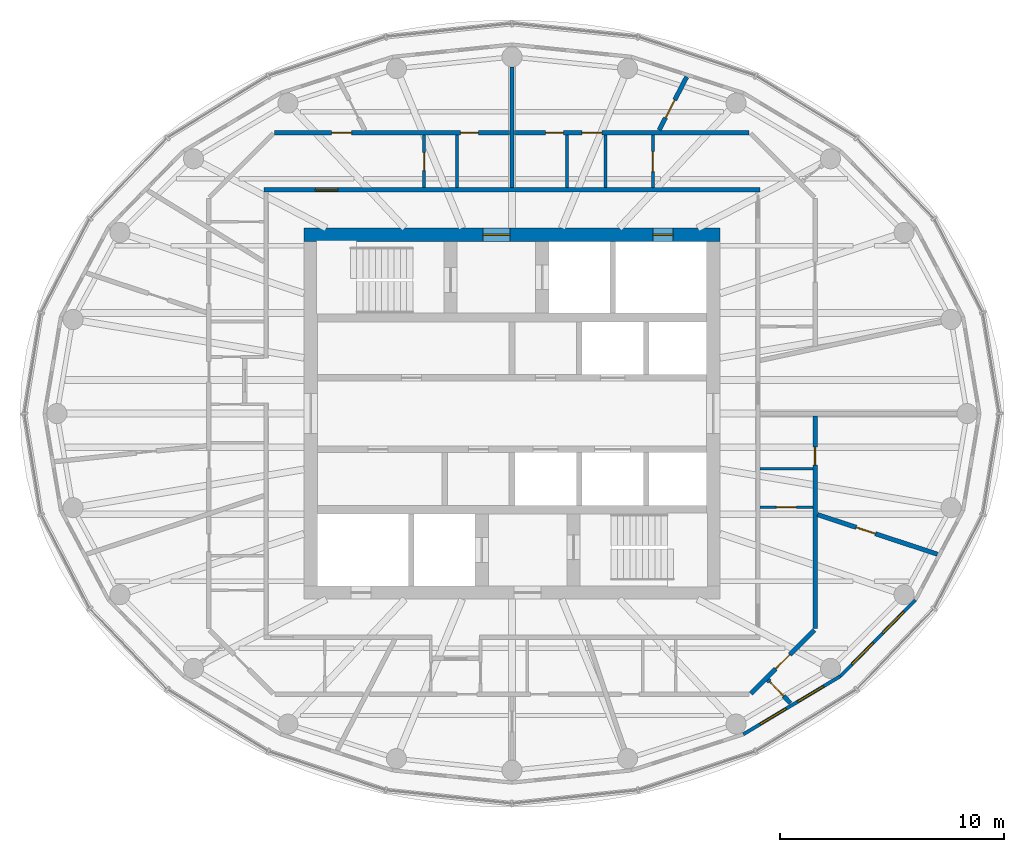
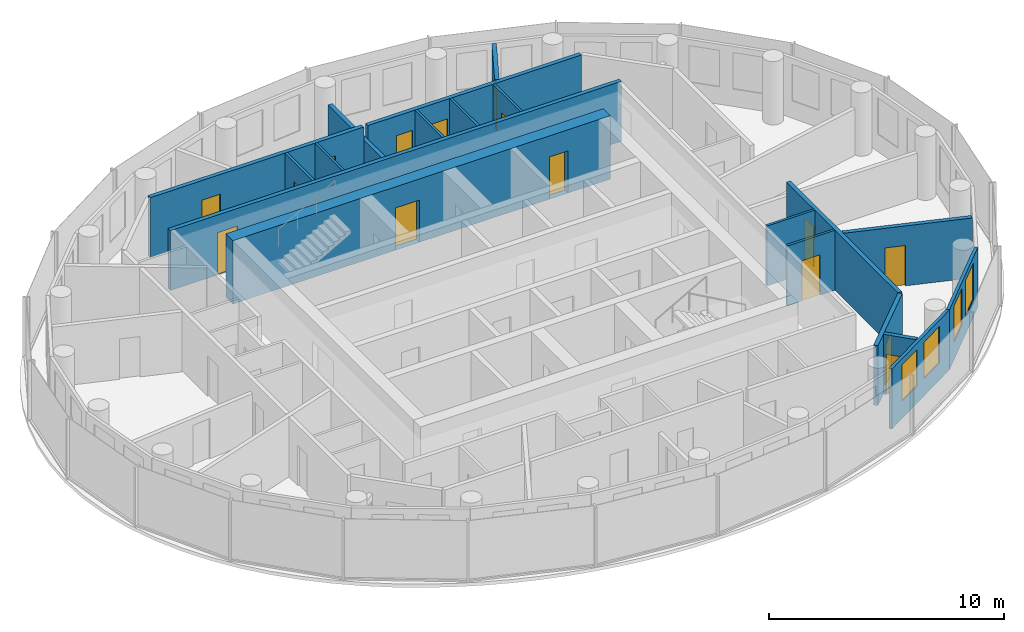
# One storey, part 8 of 11: 19 walls, 15 doors, 4 windows, 19 openings.
"""IFC4 building model written with IfcOpenShell, lengths in metres."""

from ifc_helpers import new_model, si_unit, direction, frame, frame_2d, origin, place, context, subcontext, project, spatial, rectangle, extrude, material, layer, layer_set, type_object, element, fill, save


model = new_model("IFC4")

# Units and contexts
model_context = context("Model", 3, precision=1e-05, world=origin(), true_north=direction((0.0, 1.0)))
body_context = subcontext(model_context, "Body", "Model", "MODEL_VIEW")
ifc_project = project(units=[si_unit("LENGTHUNIT", "METRE"), si_unit("AREAUNIT", "SQUARE_METRE"), si_unit("VOLUMEUNIT", "CUBIC_METRE"), si_unit("PLANEANGLEUNIT", "RADIAN"), si_unit("MASSUNIT", "GRAM", prefix="KILO")], contexts=[model_context])

# Site, building, storey
site_placement = place(None, origin())
site = spatial("IfcSite", under=ifc_project, at=site_placement, CompositionType="ELEMENT")
building_placement = place(site_placement, origin())
building = spatial("IfcBuilding", under=site, at=building_placement, Name="Hankou Lantern Tower", CompositionType="ELEMENT")
storey_placement = place(building_placement, frame((0.0, 0.0, 199.5)))
storey = spatial("IfcBuildingStorey", under=building, at=storey_placement, Name="L53", CompositionType="ELEMENT", Elevation=199.5)

# Wall, openings, doors
ifc_material_1 = material(Name="Concrete C60", Category="concrete")
ifc_layer_1 = layer(ifc_material_1, 0.60009765625)
ifc_layer_set_1 = layer_set([ifc_layer_1], Name="Concrete C60")
wall_type_1 = type_object("IfcWallType", Name="CW3 CORE WALL 600", PredefinedType="SHEAR", material=ifc_layer_set_1)
wall_1_placement = place(storey_placement, frame((-9.300048828125, 8.0, 0.0), z_axis=(0.0, 0.0, 1.0), x_axis=(1.0, 0.0, 0.0)))
wall_1 = element("IfcWall", 1, at=wall_1_placement, inside=storey, type_object=wall_type_1, Name="Core wall north L53", PredefinedType="SHEAR", context=body_context, shape_type="SweptSolid", body=[
    extrude(rectangle(XDim=18.60009765625, YDim=0.60009765625, at=frame_2d((9.300048828125, 0.0))), origin(), (0.0, 0.0, 1.0), 3.300048828125),
])
opening_1_placement = place(wall_1_placement, frame((8.0, 0.0, 0.0)))
opening_1 = element("IfcOpeningElement", 2, at=opening_1_placement, cuts=wall_1, Name="Opening D5", PredefinedType="OPENING", context=body_context, shape_type="SweptSolid", body=[
    extrude(rectangle(XDim=1.199951171875, YDim=2.199951171875, at=frame_2d((0.60009765625, 1.10009765625))), frame((0.0, 0.31005859375, 0.0), z_axis=(0.0, -1.0, 0.0), x_axis=(1.0, 0.0, 0.0)), (0.0, 0.0, 1.0), 0.6201171875),
])
opening_2_placement = place(wall_1_placement, frame((15.60009765625, 0.0, 0.0)))
opening_2 = element("IfcOpeningElement", 3, at=opening_2_placement, cuts=wall_1, Name="Opening D7", PredefinedType="OPENING", context=body_context, shape_type="SweptSolid", body=[
    extrude(rectangle(XDim=0.89990234375, YDim=2.199951171875, at=frame_2d((0.449951171875, 1.10009765625))), frame((0.0, 0.31005859375, 0.0), z_axis=(0.0, -1.0, 0.0), x_axis=(1.0, 0.0, 0.0)), (0.0, 0.0, 1.0), 0.6201171875),
])
ifc_material_2 = material(Name="Steel door leaf", Category="steel")
door_type_1 = type_object("IfcDoorType", Name="D5 STAIR LOBBY DOOR 1200X2200", OperationType="SINGLE_SWING_LEFT", PredefinedType="DOOR", material=ifc_material_2)
door_1_placement = place(opening_1_placement, origin())
door_1 = element("IfcDoor", 4, at=door_1_placement, inside=storey, type_object=door_type_1, Name="Stair A lobby door", OperationType="SINGLE_SWING_LEFT", OverallHeight=2.199951171875, OverallWidth=1.199951171875, PredefinedType="DOOR", context=body_context, shape_type="SweptSolid", body=[
    extrude(rectangle(XDim=1.199951171875, YDim=2.199951171875, at=frame_2d((0.60009765625, 1.10009765625))), frame((0.0, 0.02490234375, 0.0), z_axis=(0.0, -1.0, 0.0), x_axis=(1.0, 0.0, 0.0)), (0.0, 0.0, 1.0), 0.050048828125),
])
fill(opening_1, door_1)
ifc_material_3 = material(Name="Steel door leaf", Category="steel")
door_type_2 = type_object("IfcDoorType", Name="D7 RISER DOOR 900X2200", OperationType="SINGLE_SWING_LEFT", PredefinedType="DOOR", material=ifc_material_3)
door_2_placement = place(opening_2_placement, origin())
door_2 = element("IfcDoor", 5, at=door_2_placement, inside=storey, type_object=door_type_2, Name="Riser N1 door", OperationType="SINGLE_SWING_RIGHT", OverallHeight=2.199951171875, OverallWidth=0.89990234375, PredefinedType="DOOR", context=body_context, shape_type="SweptSolid", body=[
    extrude(rectangle(XDim=0.89990234375, YDim=2.199951171875, at=frame_2d((0.449951171875, 1.10009765625))), frame((0.0, 0.02490234375, 0.0), z_axis=(0.0, -1.0, 0.0), x_axis=(1.0, 0.0, 0.0)), (0.0, 0.0, 1.0), 0.050048828125),
])
fill(opening_2, door_2)

# Wall, openings, windows
ifc_material_4 = material(Name="Aluminium spandrel panel on steel studs", Category="steel")
ifc_layer_2 = layer(ifc_material_4, 0.14990234375)
ifc_layer_set_2 = layer_set([ifc_layer_2], Name="Aluminium spandrel panel on steel studs")
wall_type_2 = type_object("IfcWallType", Name="EW1 INNER SKIN WALL 150", PredefinedType="ELEMENTEDWALL", material=ifc_layer_set_2)
wall_2_placement = place(storey_placement, frame((10.346435546875, -14.33642578125, 0.0), z_axis=(0.0, 0.0, 1.0), x_axis=(0.85822150553, 0.513279502265, 0.0)))
wall_2 = element("IfcWall", 6, at=wall_2_placement, inside=storey, type_object=wall_type_2, Name="Inner skin R21-R22 L53", PredefinedType="ELEMENTEDWALL", context=body_context, shape_type="SweptSolid", body=[
    extrude(rectangle(XDim=5.050048828125, YDim=0.14990234375, at=frame_2d((2.52490234375, 0.0))), origin(), (0.0, 0.0, 1.0), 3.1201171875),
])
opening_3_placement = place(wall_2_placement, frame((0.875, 0.0, 0.89990234375)))
opening_3 = element("IfcOpeningElement", 7, at=opening_3_placement, cuts=wall_2, Name="Opening W4", PredefinedType="OPENING", context=body_context, shape_type="SweptSolid", body=[
    extrude(rectangle(XDim=1.35009765625, YDim=1.89990234375, at=frame_2d((0.675048828125, 0.949951171875))), frame((0.0, 0.0849609375, 0.0), z_axis=(0.0, -1.0, 0.0), x_axis=(1.0, 0.0, 0.0)), (0.0, 0.0, 1.0), 0.169921875),
])
opening_4_placement = place(wall_2_placement, frame((2.824951171875, 0.0, 0.89990234375)))
opening_4 = element("IfcOpeningElement", 8, at=opening_4_placement, cuts=wall_2, Name="Opening W4", PredefinedType="OPENING", context=body_context, shape_type="SweptSolid", body=[
    extrude(rectangle(XDim=1.35009765625, YDim=1.89990234375, at=frame_2d((0.675048828125, 0.949951171875))), frame((0.0, 0.0849609375, 0.0), z_axis=(0.0, -1.0, 0.0), x_axis=(1.0, 0.0, 0.0)), (0.0, 0.0, 1.0), 0.169921875),
])
ifc_material_5 = material(Name="Aluminium framed double glazed window", Category="aluminium")
window_type = type_object("IfcWindowType", Name="W4 SUITE WINDOW 1350X1900", PartitioningType="DOUBLE_PANEL_VERTICAL", PredefinedType="WINDOW", material=ifc_material_5)
window_1_placement = place(opening_3_placement, origin())
window_1 = element("IfcWindow", 9, at=window_1_placement, inside=storey, type_object=window_type, Name="Window R21.1 L53", OverallHeight=1.89990234375, OverallWidth=1.35009765625, PartitioningType="SINGLE_PANEL", PredefinedType="WINDOW", context=body_context, shape_type="SweptSolid", body=[
    extrude(rectangle(XDim=1.35009765625, YDim=1.89990234375, at=frame_2d((0.675048828125, 0.949951171875))), frame((0.0, 0.030029296875, 0.0), z_axis=(0.0, -1.0, 0.0), x_axis=(1.0, 0.0, 0.0)), (0.0, 0.0, 1.0), 0.06005859375),
])
fill(opening_3, window_1)
window_2_placement = place(opening_4_placement, origin())
window_2 = element("IfcWindow", 10, at=window_2_placement, inside=storey, type_object=window_type, Name="Window R21.2 L53", OverallHeight=1.89990234375, OverallWidth=1.35009765625, PartitioningType="SINGLE_PANEL", PredefinedType="WINDOW", context=body_context, shape_type="SweptSolid", body=[
    extrude(rectangle(XDim=1.35009765625, YDim=1.89990234375, at=frame_2d((0.675048828125, 0.949951171875))), frame((0.0, 0.030029296875, 0.0), z_axis=(0.0, -1.0, 0.0), x_axis=(1.0, 0.0, 0.0)), (0.0, 0.0, 1.0), 0.06005859375),
])
fill(opening_4, window_2)

wall_3_placement = place(storey_placement, frame((14.680419921875, -11.744384765625, 0.0), z_axis=(0.0, 0.0, 1.0), x_axis=(0.701527379618, 0.712642501993, 0.0)))
wall_3 = element("IfcWall", 11, at=wall_3_placement, inside=storey, type_object=wall_type_2, Name="Inner skin R22-R23 L53", PredefinedType="ELEMENTEDWALL", context=body_context, shape_type="SweptSolid", body=[
    extrude(rectangle(XDim=4.788330078125, YDim=0.14990234375, at=frame_2d((2.39404296875, 0.0))), origin(), (0.0, 0.0, 1.0), 3.1201171875),
])
opening_5_placement = place(wall_3_placement, frame((0.744140625, 0.0, 0.89990234375)))
opening_5 = element("IfcOpeningElement", 12, at=opening_5_placement, cuts=wall_3, Name="Opening W4", PredefinedType="OPENING", context=body_context, shape_type="SweptSolid", body=[
    extrude(rectangle(XDim=1.35009765625, YDim=1.89990234375, at=frame_2d((0.675048828125, 0.949951171875))), frame((0.0, 0.0849609375, 0.0), z_axis=(0.0, -1.0, 0.0), x_axis=(1.0, 0.0, 0.0)), (0.0, 0.0, 1.0), 0.169921875),
])
opening_6_placement = place(wall_3_placement, frame((2.694091796875, 0.0, 0.89990234375)))
opening_6 = element("IfcOpeningElement", 13, at=opening_6_placement, cuts=wall_3, Name="Opening W4", PredefinedType="OPENING", context=body_context, shape_type="SweptSolid", body=[
    extrude(rectangle(XDim=1.35009765625, YDim=1.89990234375, at=frame_2d((0.675048828125, 0.949951171875))), frame((0.0, 0.0849609375, 0.0), z_axis=(0.0, -1.0, 0.0), x_axis=(1.0, 0.0, 0.0)), (0.0, 0.0, 1.0), 0.169921875),
])
window_3_placement = place(opening_5_placement, origin())
window_3 = element("IfcWindow", 14, at=window_3_placement, inside=storey, type_object=window_type, Name="Window R22.1 L53", OverallHeight=1.89990234375, OverallWidth=1.35009765625, PartitioningType="SINGLE_PANEL", PredefinedType="WINDOW", context=body_context, shape_type="SweptSolid", body=[
    extrude(rectangle(XDim=1.35009765625, YDim=1.89990234375, at=frame_2d((0.675048828125, 0.949951171875))), frame((0.0, 0.030029296875, 0.0), z_axis=(0.0, -1.0, 0.0), x_axis=(1.0, 0.0, 0.0)), (0.0, 0.0, 1.0), 0.06005859375),
])
fill(opening_5, window_3)
window_4_placement = place(opening_6_placement, origin())
window_4 = element("IfcWindow", 15, at=window_4_placement, inside=storey, type_object=window_type, Name="Window R22.2 L53", OverallHeight=1.89990234375, OverallWidth=1.35009765625, PartitioningType="SINGLE_PANEL", PredefinedType="WINDOW", context=body_context, shape_type="SweptSolid", body=[
    extrude(rectangle(XDim=1.35009765625, YDim=1.89990234375, at=frame_2d((0.675048828125, 0.949951171875))), frame((0.0, 0.030029296875, 0.0), z_axis=(0.0, -1.0, 0.0), x_axis=(1.0, 0.0, 0.0)), (0.0, 0.0, 1.0), 0.06005859375),
])
fill(opening_6, window_4)

# Wall
ifc_material_6 = material(Name="Masonry lightweight concrete block", Category="masonry")
ifc_layer_3 = layer(ifc_material_6, 0.199951171875)
ifc_layer_set_3 = layer_set([ifc_layer_3], Name="Masonry lightweight concrete block")
wall_type_3 = type_object("IfcWallType", Name="IW1 GUEST ROOM PARTY WALL 200", PredefinedType="PARTITIONING", material=ifc_layer_set_3)
wall_4_placement = place(storey_placement, frame((0.0, 10.10009765625, 0.0), z_axis=(0.0, 0.0, 1.0), x_axis=(0.0, 1.0, 0.0)))
element("IfcWall", 16, at=wall_4_placement, inside=storey, type_object=wall_type_3, Name="Party wall R07", PredefinedType="PARTITIONING", context=body_context, shape_type="SweptSolid", body=[
    extrude(rectangle(XDim=5.39990234375, YDim=0.199951171875, at=frame_2d((2.699951171875, 0.0))), origin(), (0.0, 0.0, 1.0), 2.419921875),
])

# Wall, opening, door
ifc_material_7 = material(Name="Masonry lightweight concrete block", Category="masonry")
ifc_layer_4 = layer(ifc_material_7, 0.199951171875)
ifc_layer_set_4 = layer_set([ifc_layer_4], Name="Masonry lightweight concrete block")
wall_type_4 = type_object("IfcWallType", Name="IW2 CORRIDOR WALL 200", PredefinedType="PARTITIONING", material=ifc_layer_set_4)
wall_5_placement = place(storey_placement, frame((-11.10009765625, 10.0, 0.0), z_axis=(0.0, 0.0, 1.0), x_axis=(1.0, 0.0, 0.0)))
wall_5 = element("IfcWall", 17, at=wall_5_placement, inside=storey, type_object=wall_type_4, Name="Corridor wall north", PredefinedType="PARTITIONING", context=body_context, shape_type="SweptSolid", body=[
    extrude(rectangle(XDim=22.2001953125, YDim=0.199951171875, at=frame_2d((11.10009765625, 0.0))), origin(), (0.0, 0.0, 1.0), 3.1201171875),
])
opening_7_placement = place(wall_5_placement, frame((2.30908203125, 0.0, 0.0)))
opening_7 = element("IfcOpeningElement", 18, at=opening_7_placement, cuts=wall_5, Name="Opening D2", PredefinedType="OPENING", context=body_context, shape_type="SweptSolid", body=[
    extrude(rectangle(XDim=1.0, YDim=2.199951171875, at=frame_2d((0.5, 1.10009765625))), frame((0.0, 0.10986328125, 0.0), z_axis=(0.0, -1.0, 0.0), x_axis=(1.0, 0.0, 0.0)), (0.0, 0.0, 1.0), 0.219970703125),
])
ifc_material_8 = material(Name="Steel door leaf", Category="steel")
door_type_3 = type_object("IfcDoorType", Name="D2 SUITE DOOR 1000X2200", OperationType="SINGLE_SWING_LEFT", PredefinedType="DOOR", material=ifc_material_8)
door_3_placement = place(opening_7_placement, origin())
door_3 = element("IfcDoor", 19, at=door_3_placement, inside=storey, type_object=door_type_3, Name="Suite door 5303", OperationType="SINGLE_SWING_RIGHT", OverallHeight=2.199951171875, OverallWidth=1.0, PredefinedType="DOOR", context=body_context, shape_type="SweptSolid", body=[
    extrude(rectangle(XDim=1.0, YDim=2.199951171875, at=frame_2d((0.5, 1.10009765625))), frame((0.0, 0.02490234375, 0.0), z_axis=(0.0, -1.0, 0.0), x_axis=(1.0, 0.0, 0.0)), (0.0, 0.0, 1.0), 0.050048828125),
])
fill(opening_7, door_3)

ifc_material_9 = material(Name="Masonry lightweight concrete block", Category="masonry")
ifc_layer_5 = layer(ifc_material_9, 0.1201171875)
ifc_layer_set_5 = layer_set([ifc_layer_5], Name="Masonry lightweight concrete block")
wall_type_5 = type_object("IfcWallType", Name="IW3 BATHROOM WALL 120", PredefinedType="PARTITIONING", material=ifc_layer_set_5)
wall_6_placement = place(storey_placement, frame((6.301025390625, 10.10009765625, 0.0), z_axis=(0.0, 0.0, 1.0), x_axis=(0.0, 1.0, 0.0)))
wall_6 = element("IfcWall", 20, at=wall_6_placement, inside=storey, type_object=wall_type_5, Name="Box wall 5302 2", PredefinedType="PARTITIONING", context=body_context, shape_type="SweptSolid", body=[
    extrude(rectangle(XDim=2.349853515625, YDim=0.1201171875, at=frame_2d((1.1748046875, 0.0))), origin(), (0.0, 0.0, 1.0), 3.1201171875),
])
opening_8_placement = place(wall_6_placement, frame((0.719970703125, 0.0, 0.0)))
opening_8 = element("IfcOpeningElement", 21, at=opening_8_placement, cuts=wall_6, Name="Opening D27", PredefinedType="OPENING", context=body_context, shape_type="SweptSolid", body=[
    extrude(rectangle(XDim=0.89990234375, YDim=2.10009765625, at=frame_2d((0.449951171875, 1.050048828125))), frame((0.0, 0.070068359375, 0.0), z_axis=(0.0, -1.0, 0.0), x_axis=(1.0, 0.0, 0.0)), (0.0, 0.0, 1.0), 0.14013671875),
])
ifc_material_10 = material(Name="Timber door leaf", Category="wood")
door_type_4 = type_object("IfcDoorType", Name="D27 INTERNAL DOOR 900X2100", OperationType="SINGLE_SWING_LEFT", PredefinedType="DOOR", material=ifc_material_10)
door_4_placement = place(opening_8_placement, origin())
door_4 = element("IfcDoor", 22, at=door_4_placement, inside=storey, type_object=door_type_4, Name="Corner suite 5302 pantry door", OperationType="SINGLE_SWING_LEFT", OverallHeight=2.10009765625, OverallWidth=0.89990234375, PredefinedType="DOOR", context=body_context, shape_type="SweptSolid", body=[
    extrude(rectangle(XDim=0.89990234375, YDim=2.10009765625, at=frame_2d((0.449951171875, 1.050048828125))), frame((0.0, 0.02490234375, 0.0), z_axis=(0.0, -1.0, 0.0), x_axis=(1.0, 0.0, 0.0)), (0.0, 0.0, 1.0), 0.050048828125),
])
fill(opening_8, door_4)

# Walls
for number, where, z_axis, x_axis, name in (
    (23, (4.180908203125, 10.10009765625, 0.0), (0.0, 0.0, 1.0), (0.0, 1.0, 0.0), "Box wall 5302 3"),
    (24, (2.4609375, 10.10009765625, 0.0), (0.0, 0.0, 1.0), (0.0, 1.0, 0.0), "Box wall 5302 4"),
    (25, (-2.4609375, 10.10009765625, 0.0), (0.0, 0.0, 1.0), (0.0, 1.0, 0.0), "Box wall 5303 1"),
):
    element("IfcWall", number, at=place(storey_placement, frame(where, z_axis=z_axis, x_axis=x_axis)), inside=storey, type_object=wall_type_5, Name=name, PredefinedType="PARTITIONING", context=body_context, shape_type="SweptSolid", body=[
        extrude(rectangle(XDim=2.349853515625, YDim=0.1201171875, at=frame_2d((1.1748046875, 0.0))), origin(), (0.0, 0.0, 1.0), 3.1201171875),
    ])

# Wall, opening, door
wall_7_placement = place(storey_placement, frame((-3.930908203125, 10.10009765625, 0.0), z_axis=(0.0, 0.0, 1.0), x_axis=(0.0, 1.0, 0.0)))
wall_7 = element("IfcWall", 26, at=wall_7_placement, inside=storey, type_object=wall_type_5, Name="Box wall 5303 2", PredefinedType="PARTITIONING", context=body_context, shape_type="SweptSolid", body=[
    extrude(rectangle(XDim=2.349853515625, YDim=0.1201171875, at=frame_2d((1.1748046875, 0.0))), origin(), (0.0, 0.0, 1.0), 3.1201171875),
])
opening_9_placement = place(wall_7_placement, frame((0.77001953125, 0.0, 0.0)))
opening_9 = element("IfcOpeningElement", 27, at=opening_9_placement, cuts=wall_7, Name="Opening D3", PredefinedType="OPENING", context=body_context, shape_type="SweptSolid", body=[
    extrude(rectangle(XDim=0.800048828125, YDim=2.10009765625, at=frame_2d((0.39990234375, 1.050048828125))), frame((0.0, 0.070068359375, 0.0), z_axis=(0.0, -1.0, 0.0), x_axis=(1.0, 0.0, 0.0)), (0.0, 0.0, 1.0), 0.14013671875),
])
ifc_material_11 = material(Name="Timber door leaf", Category="wood")
door_type_5 = type_object("IfcDoorType", Name="D3 BATHROOM DOOR 800X2100", OperationType="SINGLE_SWING_LEFT", PredefinedType="DOOR", material=ifc_material_11)
door_5_placement = place(opening_9_placement, origin())
door_5 = element("IfcDoor", 28, at=door_5_placement, inside=storey, type_object=door_type_5, Name="Suite 5303 guest WC door", OperationType="SINGLE_SWING_LEFT", OverallHeight=2.10009765625, OverallWidth=0.800048828125, PredefinedType="DOOR", context=body_context, shape_type="SweptSolid", body=[
    extrude(rectangle(XDim=0.800048828125, YDim=2.10009765625, at=frame_2d((0.39990234375, 1.050048828125))), frame((0.0, 0.02490234375, 0.0), z_axis=(0.0, -1.0, 0.0), x_axis=(1.0, 0.0, 0.0)), (0.0, 0.0, 1.0), 0.050048828125),
])
fill(opening_9, door_5)

wall_8_placement = place(storey_placement, frame((11.10009765625, -4.180908203125, 0.0), z_axis=(0.0, 0.0, 1.0), x_axis=(1.0, 0.0, 0.0)))
wall_8 = element("IfcWall", 29, at=wall_8_placement, inside=storey, type_object=wall_type_5, Name="Box wall 5307 3", PredefinedType="PARTITIONING", context=body_context, shape_type="SweptSolid", body=[
    extrude(rectangle(XDim=2.349853515625, YDim=0.1201171875, at=frame_2d((1.1748046875, 0.0))), origin(), (0.0, 0.0, 1.0), 3.1201171875),
])
opening_10_placement = place(wall_8_placement, frame((0.719970703125, 0.0, 0.0)))
opening_10 = element("IfcOpeningElement", 30, at=opening_10_placement, cuts=wall_8, Name="Opening D27", PredefinedType="OPENING", context=body_context, shape_type="SweptSolid", body=[
    extrude(rectangle(XDim=0.89990234375, YDim=2.10009765625, at=frame_2d((0.449951171875, 1.050048828125))), frame((0.0, 0.070068359375, 0.0), z_axis=(0.0, -1.0, 0.0), x_axis=(1.0, 0.0, 0.0)), (0.0, 0.0, 1.0), 0.14013671875),
])
door_6_placement = place(opening_10_placement, origin())
door_6 = element("IfcDoor", 31, at=door_6_placement, inside=storey, type_object=door_type_4, Name="Family suite 5307 walk-in wardrobe door", OperationType="SINGLE_SWING_LEFT", OverallHeight=2.10009765625, OverallWidth=0.89990234375, PredefinedType="DOOR", context=body_context, shape_type="SweptSolid", body=[
    extrude(rectangle(XDim=0.89990234375, YDim=2.10009765625, at=frame_2d((0.449951171875, 1.050048828125))), frame((0.0, 0.02490234375, 0.0), z_axis=(0.0, -1.0, 0.0), x_axis=(1.0, 0.0, 0.0)), (0.0, 0.0, 1.0), 0.050048828125),
])
fill(opening_10, door_6)

# Wall
wall_9_placement = place(storey_placement, frame((11.10009765625, -2.4609375, 0.0), z_axis=(0.0, 0.0, 1.0), x_axis=(1.0, 0.0, 0.0)))
element("IfcWall", 32, at=wall_9_placement, inside=storey, type_object=wall_type_5, Name="Box wall 5307 4", PredefinedType="PARTITIONING", context=body_context, shape_type="SweptSolid", body=[
    extrude(rectangle(XDim=2.349853515625, YDim=0.1201171875, at=frame_2d((1.1748046875, 0.0))), origin(), (0.0, 0.0, 1.0), 3.1201171875),
])

# Wall, openings, doors
ifc_material_12 = material(Name="Masonry lightweight concrete block", Category="masonry")
ifc_layer_6 = layer(ifc_material_12, 0.199951171875)
ifc_layer_set_6 = layer_set([ifc_layer_6], Name="Masonry lightweight concrete block")
wall_type_6 = type_object("IfcWallType", Name="IW6 SUITE PARTITION 200", PredefinedType="PARTITIONING", material=ifc_layer_set_6)
wall_10_placement = place(storey_placement, frame((10.608642578125, 12.550048828125, 0.0), z_axis=(0.0, 0.0, 1.0), x_axis=(-1.0, 0.0, 0.0)))
wall_10 = element("IfcWall", 33, at=wall_10_placement, inside=storey, type_object=wall_type_6, Name="Suite foyer wall 5302", PredefinedType="PARTITIONING", context=body_context, shape_type="SweptSolid", body=[
    extrude(rectangle(XDim=10.507568359375, YDim=0.199951171875, at=frame_2d((5.25390625, 0.0))), origin(), (0.0, 0.0, 1.0), 3.1201171875),
])
opening_11_placement = place(wall_10_placement, frame((6.587646484375, 0.0, 0.0)))
opening_11 = element("IfcOpeningElement", 34, at=opening_11_placement, cuts=wall_10, Name="Opening D27", PredefinedType="OPENING", context=body_context, shape_type="SweptSolid", body=[
    extrude(rectangle(XDim=0.89990234375, YDim=2.10009765625, at=frame_2d((0.449951171875, 1.050048828125))), frame((0.0, 0.10986328125, 0.0), z_axis=(0.0, -1.0, 0.0), x_axis=(1.0, 0.0, 0.0)), (0.0, 0.0, 1.0), 0.219970703125),
])
opening_12_placement = place(wall_10_placement, frame((8.3076171875, 0.0, 0.0)))
opening_12 = element("IfcOpeningElement", 35, at=opening_12_placement, cuts=wall_10, Name="Opening D3", PredefinedType="OPENING", context=body_context, shape_type="SweptSolid", body=[
    extrude(rectangle(XDim=0.800048828125, YDim=2.10009765625, at=frame_2d((0.39990234375, 1.050048828125))), frame((0.0, 0.10986328125, 0.0), z_axis=(0.0, -1.0, 0.0), x_axis=(1.0, 0.0, 0.0)), (0.0, 0.0, 1.0), 0.219970703125),
])
door_7_placement = place(opening_11_placement, origin())
door_7 = element("IfcDoor", 36, at=door_7_placement, inside=storey, type_object=door_type_4, Name="Corner suite 5302 walk-in wardrobe door", OperationType="SINGLE_SWING_LEFT", OverallHeight=2.10009765625, OverallWidth=0.89990234375, PredefinedType="DOOR", context=body_context, shape_type="SweptSolid", body=[
    extrude(rectangle(XDim=0.89990234375, YDim=2.10009765625, at=frame_2d((0.449951171875, 1.050048828125))), frame((0.0, 0.02490234375, 0.0), z_axis=(0.0, -1.0, 0.0), x_axis=(1.0, 0.0, 0.0)), (0.0, 0.0, 1.0), 0.050048828125),
])
fill(opening_11, door_7)
door_8_placement = place(opening_12_placement, origin())
door_8 = element("IfcDoor", 37, at=door_8_placement, inside=storey, type_object=door_type_5, Name="Corner suite 5302 bathroom door", OperationType="SINGLE_SWING_LEFT", OverallHeight=2.10009765625, OverallWidth=0.800048828125, PredefinedType="DOOR", context=body_context, shape_type="SweptSolid", body=[
    extrude(rectangle(XDim=0.800048828125, YDim=2.10009765625, at=frame_2d((0.39990234375, 1.050048828125))), frame((0.0, 0.02490234375, 0.0), z_axis=(0.0, -1.0, 0.0), x_axis=(1.0, 0.0, 0.0)), (0.0, 0.0, 1.0), 0.050048828125),
])
fill(opening_12, door_8)

# Wall, opening, door
wall_11_placement = place(storey_placement, frame((6.578125, 12.676513671875, 0.0), z_axis=(0.0, 0.0, 1.0), x_axis=(0.460620531465, 0.887597164255, 0.0)))
wall_11 = element("IfcWall", 38, at=wall_11_placement, inside=storey, type_object=wall_type_6, Name="Suite partition R05-R06", PredefinedType="PARTITIONING", context=body_context, shape_type="SweptSolid", body=[
    extrude(rectangle(XDim=2.677734375, YDim=0.199951171875, at=frame_2d((1.3388671875, 0.0))), origin(), (0.0, 0.0, 1.0), 3.1201171875),
])
opening_13_placement = place(wall_11_placement, frame((0.6201171875, 0.0, 0.0)))
opening_13 = element("IfcOpeningElement", 39, at=opening_13_placement, cuts=wall_11, Name="Opening D27", PredefinedType="OPENING", context=body_context, shape_type="SweptSolid", body=[
    extrude(rectangle(XDim=0.89990234375, YDim=2.10009765625, at=frame_2d((0.449951171875, 1.050048828125))), frame((0.0, 0.10986328125, 0.0), z_axis=(0.0, -1.0, 0.0), x_axis=(1.0, 0.0, 0.0)), (0.0, 0.0, 1.0), 0.219970703125),
])
door_9_placement = place(opening_13_placement, origin())
door_9 = element("IfcDoor", 40, at=door_9_placement, inside=storey, type_object=door_type_4, Name="Corner suite 5302 bedroom door", OperationType="SINGLE_SWING_LEFT", OverallHeight=2.10009765625, OverallWidth=0.89990234375, PredefinedType="DOOR", context=body_context, shape_type="SweptSolid", body=[
    extrude(rectangle(XDim=0.89990234375, YDim=2.10009765625, at=frame_2d((0.449951171875, 1.050048828125))), frame((0.0, 0.02490234375, 0.0), z_axis=(0.0, -1.0, 0.0), x_axis=(1.0, 0.0, 0.0)), (0.0, 0.0, 1.0), 0.050048828125),
])
fill(opening_13, door_9)

# Wall, openings, doors
wall_12_placement = place(storey_placement, frame((-0.10107421875, 12.550048828125, 0.0), z_axis=(0.0, 0.0, 1.0), x_axis=(-1.0, 0.0, 0.0)))
wall_12 = element("IfcWall", 41, at=wall_12_placement, inside=storey, type_object=wall_type_6, Name="Suite foyer wall 5303", PredefinedType="PARTITIONING", context=body_context, shape_type="SweptSolid", body=[
    extrude(rectangle(XDim=10.507568359375, YDim=0.199951171875, at=frame_2d((5.25390625, 0.0))), origin(), (0.0, 0.0, 1.0), 3.1201171875),
])
opening_14_placement = place(wall_12_placement, frame((1.39990234375, 0.0, 0.0)))
opening_14 = element("IfcOpeningElement", 42, at=opening_14_placement, cuts=wall_12, Name="Opening D3", PredefinedType="OPENING", context=body_context, shape_type="SweptSolid", body=[
    extrude(rectangle(XDim=0.800048828125, YDim=2.10009765625, at=frame_2d((0.39990234375, 1.050048828125))), frame((0.0, 0.10986328125, 0.0), z_axis=(0.0, -1.0, 0.0), x_axis=(1.0, 0.0, 0.0)), (0.0, 0.0, 1.0), 0.219970703125),
])
opening_15_placement = place(wall_12_placement, frame((7.070068359375, 0.0, 0.0)))
opening_15 = element("IfcOpeningElement", 43, at=opening_15_placement, cuts=wall_12, Name="Opening D27", PredefinedType="OPENING", context=body_context, shape_type="SweptSolid", body=[
    extrude(rectangle(XDim=0.89990234375, YDim=2.10009765625, at=frame_2d((0.449951171875, 1.050048828125))), frame((0.0, 0.10986328125, 0.0), z_axis=(0.0, -1.0, 0.0), x_axis=(1.0, 0.0, 0.0)), (0.0, 0.0, 1.0), 0.219970703125),
])
door_10_placement = place(opening_15_placement, origin())
door_10 = element("IfcDoor", 44, at=door_10_placement, inside=storey, type_object=door_type_4, Name="Suite 5303 living room door", OperationType="SINGLE_SWING_LEFT", OverallHeight=2.10009765625, OverallWidth=0.89990234375, PredefinedType="DOOR", context=body_context, shape_type="SweptSolid", body=[
    extrude(rectangle(XDim=0.89990234375, YDim=2.10009765625, at=frame_2d((0.449951171875, 1.050048828125))), frame((0.0, 0.02490234375, 0.0), z_axis=(0.0, -1.0, 0.0), x_axis=(1.0, 0.0, 0.0)), (0.0, 0.0, 1.0), 0.050048828125),
])
fill(opening_15, door_10)
door_11_placement = place(opening_14_placement, origin())
door_11 = element("IfcDoor", 45, at=door_11_placement, inside=storey, type_object=door_type_5, Name="Suite 5303 bathroom door", OperationType="SINGLE_SWING_RIGHT", OverallHeight=2.10009765625, OverallWidth=0.800048828125, PredefinedType="DOOR", context=body_context, shape_type="SweptSolid", body=[
    extrude(rectangle(XDim=0.800048828125, YDim=2.10009765625, at=frame_2d((0.39990234375, 1.050048828125))), frame((0.0, 0.02490234375, 0.0), z_axis=(0.0, -1.0, 0.0), x_axis=(1.0, 0.0, 0.0)), (0.0, 0.0, 1.0), 0.050048828125),
])
fill(opening_14, door_11)

# Wall, opening, door
wall_13_placement = place(storey_placement, frame((10.67919921875, -12.520751953125, 0.0), z_axis=(0.0, 0.0, 1.0), x_axis=(0.707106781187, 0.707106781187, 0.0)))
wall_13 = element("IfcWall", 46, at=wall_13_placement, inside=storey, type_object=wall_type_6, Name="Suite foyer wall 5307", PredefinedType="PARTITIONING", context=body_context, shape_type="SweptSolid", body=[
    extrude(rectangle(XDim=4.0185546875, YDim=0.199951171875, at=frame_2d((2.00927734375, 0.0))), origin(), (0.0, 0.0, 1.0), 3.1201171875),
])
opening_16_placement = place(wall_13_placement, frame((1.570068359375, 0.0, 0.0)))
opening_16 = element("IfcOpeningElement", 47, at=opening_16_placement, cuts=wall_13, Name="Opening D27", PredefinedType="OPENING", context=body_context, shape_type="SweptSolid", body=[
    extrude(rectangle(XDim=0.89990234375, YDim=2.10009765625, at=frame_2d((0.449951171875, 1.050048828125))), frame((0.0, 0.10986328125, 0.0), z_axis=(0.0, -1.0, 0.0), x_axis=(1.0, 0.0, 0.0)), (0.0, 0.0, 1.0), 0.219970703125),
])
door_12_placement = place(opening_16_placement, origin())
door_12 = element("IfcDoor", 48, at=door_12_placement, inside=storey, type_object=door_type_4, Name="Family suite 5307 living room door", OperationType="SINGLE_SWING_RIGHT", OverallHeight=2.10009765625, OverallWidth=0.89990234375, PredefinedType="DOOR", context=body_context, shape_type="SweptSolid", body=[
    extrude(rectangle(XDim=0.89990234375, YDim=2.10009765625, at=frame_2d((0.449951171875, 1.050048828125))), frame((0.0, 0.02490234375, 0.0), z_axis=(0.0, -1.0, 0.0), x_axis=(1.0, 0.0, 0.0)), (0.0, 0.0, 1.0), 0.050048828125),
])
fill(opening_16, door_12)

wall_14_placement = place(storey_placement, frame((13.550048828125, -9.608642578125, 0.0), z_axis=(0.0, 0.0, 1.0), x_axis=(0.0, 1.0, 0.0)))
wall_14 = element("IfcWall", 49, at=wall_14_placement, inside=storey, type_object=wall_type_6, Name="Suite foyer wall 5307", PredefinedType="PARTITIONING", context=body_context, shape_type="SweptSolid", body=[
    extrude(rectangle(XDim=9.507568359375, YDim=0.199951171875, at=frame_2d((4.75390625, 0.0))), origin(), (0.0, 0.0, 1.0), 3.1201171875),
])
opening_17_placement = place(wall_14_placement, frame((7.3076171875, 0.0, 0.0)))
opening_17 = element("IfcOpeningElement", 50, at=opening_17_placement, cuts=wall_14, Name="Opening D3", PredefinedType="OPENING", context=body_context, shape_type="SweptSolid", body=[
    extrude(rectangle(XDim=0.800048828125, YDim=2.10009765625, at=frame_2d((0.39990234375, 1.050048828125))), frame((0.0, 0.10986328125, 0.0), z_axis=(0.0, -1.0, 0.0), x_axis=(1.0, 0.0, 0.0)), (0.0, 0.0, 1.0), 0.219970703125),
])
door_13_placement = place(opening_17_placement, origin())
door_13 = element("IfcDoor", 51, at=door_13_placement, inside=storey, type_object=door_type_5, Name="Family suite 5307 second bathroom door", OperationType="SINGLE_SWING_LEFT", OverallHeight=2.10009765625, OverallWidth=0.800048828125, PredefinedType="DOOR", context=body_context, shape_type="SweptSolid", body=[
    extrude(rectangle(XDim=0.800048828125, YDim=2.10009765625, at=frame_2d((0.39990234375, 1.050048828125))), frame((0.0, 0.02490234375, 0.0), z_axis=(0.0, -1.0, 0.0), x_axis=(1.0, 0.0, 0.0)), (0.0, 0.0, 1.0), 0.050048828125),
])
fill(opening_17, door_13)

wall_15_placement = place(storey_placement, frame((11.44091796875, -11.900390625, 0.0), z_axis=(0.0, 0.0, 1.0), x_axis=(0.692958717259, -0.720977264672, 0.0)))
wall_15 = element("IfcWall", 52, at=wall_15_placement, inside=storey, type_object=wall_type_6, Name="Suite partition R21-R22", PredefinedType="PARTITIONING", context=body_context, shape_type="SweptSolid", body=[
    extrude(rectangle(XDim=1.4638671875, YDim=0.199951171875, at=frame_2d((0.73193359375, 0.0))), origin(), (0.0, 0.0, 1.0), 3.1201171875),
])
opening_18_placement = place(wall_15_placement, frame((0.1201171875, 0.0, 0.0)))
opening_18 = element("IfcOpeningElement", 53, at=opening_18_placement, cuts=wall_15, Name="Opening D27", PredefinedType="OPENING", context=body_context, shape_type="SweptSolid", body=[
    extrude(rectangle(XDim=0.89990234375, YDim=2.10009765625, at=frame_2d((0.449951171875, 1.050048828125))), frame((0.0, 0.10986328125, 0.0), z_axis=(0.0, -1.0, 0.0), x_axis=(1.0, 0.0, 0.0)), (0.0, 0.0, 1.0), 0.219970703125),
])
door_14_placement = place(opening_18_placement, origin())
door_14 = element("IfcDoor", 54, at=door_14_placement, inside=storey, type_object=door_type_4, Name="Family suite 5307 bedroom door", OperationType="SINGLE_SWING_LEFT", OverallHeight=2.10009765625, OverallWidth=0.89990234375, PredefinedType="DOOR", context=body_context, shape_type="SweptSolid", body=[
    extrude(rectangle(XDim=0.89990234375, YDim=2.10009765625, at=frame_2d((0.449951171875, 1.050048828125))), frame((0.0, 0.02490234375, 0.0), z_axis=(0.0, -1.0, 0.0), x_axis=(1.0, 0.0, 0.0)), (0.0, 0.0, 1.0), 0.050048828125),
])
fill(opening_18, door_14)

wall_16_placement = place(storey_placement, frame((13.664306640625, -4.516357421875, 0.0), z_axis=(0.0, 0.0, 1.0), x_axis=(0.949481375941, -0.313823384632, 0.0)))
wall_16 = element("IfcWall", 55, at=wall_16_placement, inside=storey, type_object=wall_type_6, Name="Suite partition R23-R24", PredefinedType="PARTITIONING", context=body_context, shape_type="SweptSolid", body=[
    extrude(rectangle(XDim=5.637939453125, YDim=0.199951171875, at=frame_2d((2.81884765625, 0.0))), origin(), (0.0, 0.0, 1.0), 3.1201171875),
])
opening_19_placement = place(wall_16_placement, frame((1.820068359375, 0.0, 0.0)))
opening_19 = element("IfcOpeningElement", 56, at=opening_19_placement, cuts=wall_16, Name="Opening D27", PredefinedType="OPENING", context=body_context, shape_type="SweptSolid", body=[
    extrude(rectangle(XDim=0.89990234375, YDim=2.10009765625, at=frame_2d((0.449951171875, 1.050048828125))), frame((0.0, 0.10986328125, 0.0), z_axis=(0.0, -1.0, 0.0), x_axis=(1.0, 0.0, 0.0)), (0.0, 0.0, 1.0), 0.219970703125),
])
door_15_placement = place(opening_19_placement, origin())
door_15 = element("IfcDoor", 57, at=door_15_placement, inside=storey, type_object=door_type_4, Name="Family suite 5307 second bedroom door", OperationType="SINGLE_SWING_LEFT", OverallHeight=2.10009765625, OverallWidth=0.89990234375, PredefinedType="DOOR", context=body_context, shape_type="SweptSolid", body=[
    extrude(rectangle(XDim=0.89990234375, YDim=2.10009765625, at=frame_2d((0.449951171875, 1.050048828125))), frame((0.0, 0.02490234375, 0.0), z_axis=(0.0, -1.0, 0.0), x_axis=(1.0, 0.0, 0.0)), (0.0, 0.0, 1.0), 0.050048828125),
])
fill(opening_19, door_15)

save(model, "model.ifc")
